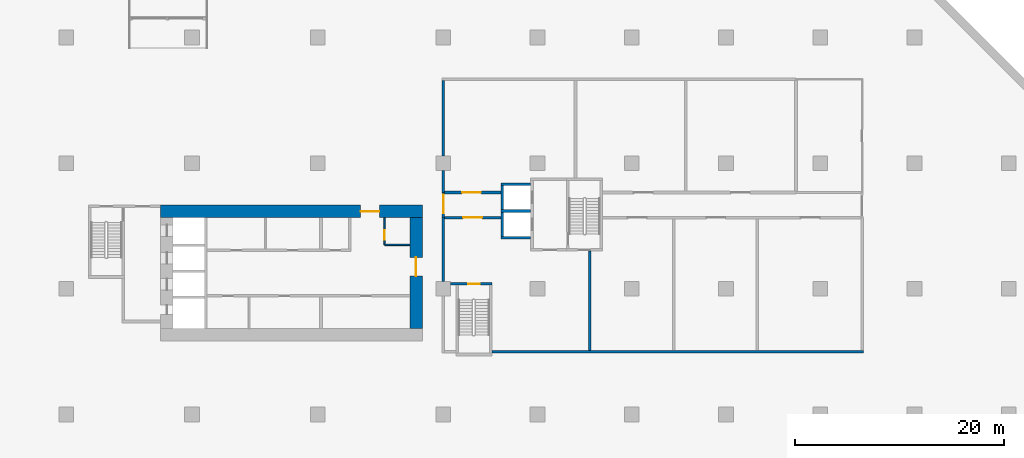
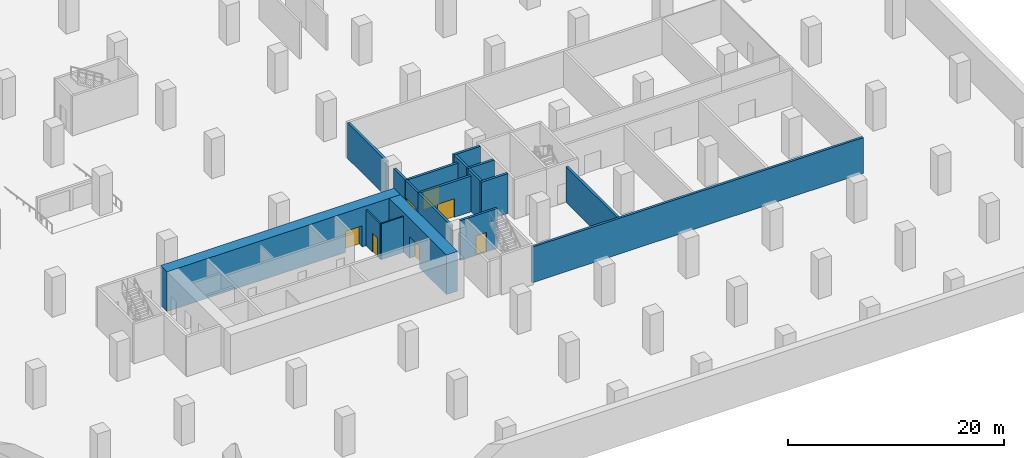
# One storey, part 4 of 10: 18 walls, 7 doors, 7 openings.
"""IFC4 building model written with IfcOpenShell, lengths in metres."""

from ifc_helpers import new_model, si_unit, direction, frame, frame_2d, origin, place, context, subcontext, project, spatial, rectangle, extrude, material, layer, layer_set, type_object, element, fill, save


model = new_model("IFC4")

# Units and contexts
model_context = context("Model", 3, precision=1e-05, world=origin(), true_north=direction((0.0, 1.0)))
body_context = subcontext(model_context, "Body", "Model", "MODEL_VIEW")
ifc_project = project(units=[si_unit("LENGTHUNIT", "METRE"), si_unit("AREAUNIT", "SQUARE_METRE"), si_unit("VOLUMEUNIT", "CUBIC_METRE"), si_unit("PLANEANGLEUNIT", "RADIAN"), si_unit("MASSUNIT", "GRAM", prefix="KILO")], contexts=[model_context])

# Site, building, storey
site_placement = place(None, origin())
site = spatial("IfcSite", under=ifc_project, at=site_placement, CompositionType="ELEMENT")
building_placement = place(site_placement, origin())
building = spatial("IfcBuilding", under=site, at=building_placement, Name="Chenar Terraces", CompositionType="ELEMENT")
storey_placement = place(building_placement, frame((0.0, 0.0, -9.0)))
storey = spatial("IfcBuildingStorey", under=building, at=storey_placement, Name="B2", CompositionType="ELEMENT", Elevation=-9.0)

# Wall, opening, door
ifc_material_1 = material(Name="Gypsum board on steel studs", Category="steel")
ifc_layer_1 = layer(ifc_material_1, 0.14990234375)
ifc_layer_set_1 = layer_set([ifc_layer_1], Name="Gypsum board on steel studs")
wall_type_1 = type_object("IfcWallType", Name="Core partition 150 gypsum board", PredefinedType="PARTITIONING", material=ifc_layer_set_1)
wall_1_placement = place(storey_placement, frame((30.39990234375, 16.199951171875, 0.0), z_axis=(0.0, 0.0, 1.0), x_axis=(0.0, 1.0, 0.0)))
wall_1 = element("IfcWall", 1, at=wall_1_placement, inside=storey, type_object=wall_type_1, Name="Core partition CP1 vestibule room west wall", PredefinedType="PARTITIONING", context=body_context, shape_type="SweptSolid", body=[
    extrude(rectangle(XDim=2.60009765625, YDim=0.14990234375, at=frame_2d((1.300048828125, 0.0))), origin(), (0.0, 0.0, 1.0), 4.050048828125),
])
opening_1_placement = place(wall_1_placement, frame((0.5, 0.0, 0.0)))
opening_1 = element("IfcOpeningElement", 2, at=opening_1_placement, cuts=wall_1, Name="Opening DB2-C18", PredefinedType="OPENING", context=body_context, shape_type="SweptSolid", body=[
    extrude(rectangle(XDim=0.89990234375, YDim=2.10009765625, at=frame_2d((0.449951171875, 1.050048828125))), frame((0.0, 0.0849609375, 0.0), z_axis=(0.0, -1.0, 0.0), x_axis=(1.0, 0.0, 0.0)), (0.0, 0.0, 1.0), 0.169921875),
])
ifc_material_2 = material(Name="Steel-framed fire-resisting door leaf", Category="steel")
door_type_1 = type_object("IfcDoorType", Name="Riser fire door FD60 900 x 2100", OperationType="SINGLE_SWING_LEFT", PredefinedType="DOOR", material=ifc_material_2)
door_1_placement = place(opening_1_placement, frame((0.89990234375, 0.0, 0.0), z_axis=(0.0, 0.0, 1.0), x_axis=(-1.0, 0.0, 0.0)))
door_1 = element("IfcDoor", 3, at=door_1_placement, inside=storey, type_object=door_type_1, Name="Core room door DB2-C18", OperationType="SINGLE_SWING_RIGHT", OverallHeight=2.10009765625, OverallWidth=0.89990234375, PredefinedType="DOOR", context=body_context, shape_type="SweptSolid", body=[
    extrude(rectangle(XDim=0.89990234375, YDim=2.10009765625, at=frame_2d((0.449951171875, 1.050048828125))), frame((0.0, 0.02490234375, 0.0), z_axis=(0.0, -1.0, 0.0), x_axis=(1.0, 0.0, 0.0)), (0.0, 0.0, 1.0), 0.050048828125),
])
fill(opening_1, door_1)

# Wall
wall_2_placement = place(storey_placement, frame((30.39990234375, 16.199951171875, 0.0), z_axis=(0.0, 0.0, 1.0), x_axis=(1.0, 0.0, 0.0)))
element("IfcWall", 4, at=wall_2_placement, inside=storey, type_object=wall_type_1, Name="Core partition CP1 vestibule room south wall", PredefinedType="PARTITIONING", context=body_context, shape_type="SweptSolid", body=[
    extrude(rectangle(XDim=2.400146484375, YDim=0.14990234375, at=frame_2d((1.2001953125, 0.0))), origin(), (0.0, 0.0, 1.0), 4.050048828125),
])

# Wall, opening, door
ifc_material_3 = material(Name="Concrete C70/85", Category="concrete")
ifc_layer_2 = layer(ifc_material_3, 1.199951171875)
ifc_layer_set_2 = layer_set([ifc_layer_2], Name="Concrete C70/85")
wall_type_2 = type_object("IfcWallType", Name="Core wall 1200 Concrete C70/85", PredefinedType="SHEAR", material=ifc_layer_set_2)
wall_3_placement = place(storey_placement, frame((9.0, 19.39990234375, 0.0), z_axis=(0.0, 0.0, 1.0), x_axis=(1.0, 0.0, 0.0)))
wall_3 = element("IfcWall", 5, at=wall_3_placement, inside=storey, type_object=wall_type_2, Name="Core wall N B2", PredefinedType="SHEAR", context=body_context, shape_type="SweptSolid", body=[
    extrude(rectangle(XDim=25.0, YDim=1.199951171875, at=frame_2d((12.5, 0.0))), origin(), (0.0, 0.0, 1.0), 4.5),
])
opening_2_placement = place(wall_3_placement, frame((19.10009765625, 0.0, 0.0)))
opening_2 = element("IfcOpeningElement", 6, at=opening_2_placement, cuts=wall_3, Name="Opening DB2-C2", PredefinedType="OPENING", context=body_context, shape_type="SweptSolid", body=[
    extrude(rectangle(XDim=1.800048828125, YDim=2.39990234375, at=frame_2d((0.89990234375, 1.199951171875))), frame((0.0, 0.60986328125, 0.0), z_axis=(0.0, -1.0, 0.0), x_axis=(1.0, 0.0, 0.0)), (0.0, 0.0, 1.0), 1.219970703125),
])
ifc_material_4 = material(Name="Steel-framed fire-resisting door leaf", Category="steel")
door_type_2 = type_object("IfcDoorType", Name="Core entrance double fire door FD60 1800 x 2400", OperationType="DOUBLE_DOOR_SINGLE_SWING", PredefinedType="DOOR", material=ifc_material_4)
door_2_placement = place(opening_2_placement, origin())
door_2 = element("IfcDoor", 7, at=door_2_placement, inside=storey, type_object=door_type_2, Name="Core door DB2-C2", OperationType="DOUBLE_DOOR_SINGLE_SWING", OverallHeight=2.39990234375, OverallWidth=1.800048828125, PredefinedType="DOOR", context=body_context, shape_type="SweptSolid", body=[
    extrude(rectangle(XDim=1.800048828125, YDim=2.39990234375, at=frame_2d((0.89990234375, 1.199951171875))), frame((0.0, 0.02490234375, 0.0), z_axis=(0.0, -1.0, 0.0), x_axis=(1.0, 0.0, 0.0)), (0.0, 0.0, 1.0), 0.050048828125),
])
fill(opening_2, door_2)

wall_4_placement = place(storey_placement, frame((33.39990234375, 8.199951171875, 0.0), z_axis=(0.0, 0.0, 1.0), x_axis=(0.0, 1.0, 0.0)))
wall_4 = element("IfcWall", 8, at=wall_4_placement, inside=storey, type_object=wall_type_2, Name="Core wall E B2", PredefinedType="SHEAR", context=body_context, shape_type="SweptSolid", body=[
    extrude(rectangle(XDim=10.60009765625, YDim=1.199951171875, at=frame_2d((5.300048828125, 0.0))), origin(), (0.0, 0.0, 1.0), 4.5),
])
opening_3_placement = place(wall_4_placement, frame((5.0, 0.0, 0.0)))
opening_3 = element("IfcOpeningElement", 9, at=opening_3_placement, cuts=wall_4, Name="Opening DB2-C1", PredefinedType="OPENING", context=body_context, shape_type="SweptSolid", body=[
    extrude(rectangle(XDim=1.800048828125, YDim=2.39990234375, at=frame_2d((0.89990234375, 1.199951171875))), frame((0.0, 0.60986328125, 0.0), z_axis=(0.0, -1.0, 0.0), x_axis=(1.0, 0.0, 0.0)), (0.0, 0.0, 1.0), 1.219970703125),
])
door_3_placement = place(opening_3_placement, frame((1.800048828125, 0.0, 0.0), z_axis=(0.0, 0.0, 1.0), x_axis=(-1.0, 0.0, 0.0)))
door_3 = element("IfcDoor", 10, at=door_3_placement, inside=storey, type_object=door_type_2, Name="Core door DB2-C1", OperationType="DOUBLE_DOOR_SINGLE_SWING", OverallHeight=2.39990234375, OverallWidth=1.800048828125, PredefinedType="DOOR", context=body_context, shape_type="SweptSolid", body=[
    extrude(rectangle(XDim=1.800048828125, YDim=2.39990234375, at=frame_2d((0.89990234375, 1.199951171875))), frame((0.0, 0.02490234375, 0.0), z_axis=(0.0, -1.0, 0.0), x_axis=(1.0, 0.0, 0.0)), (0.0, 0.0, 1.0), 0.050048828125),
])
fill(opening_3, door_3)

ifc_material_5 = material(Name="Concrete C70/85", Category="concrete")
ifc_layer_3 = layer(ifc_material_5, 0.25)
ifc_layer_set_3 = layer_set([ifc_layer_3], Name="Concrete C70/85")
wall_type_3 = type_object("IfcWallType", Name="Core wall 250 Concrete C70/85", PredefinedType="SHEAR", material=ifc_layer_set_3)
wall_5_placement = place(storey_placement, frame((36.699951171875, 12.47509765625, 0.0), z_axis=(0.0, 0.0, 1.0), x_axis=(1.0, 0.0, 0.0)))
wall_5 = element("IfcWall", 11, at=wall_5_placement, inside=storey, type_object=wall_type_3, Name="Core wall ST2_N B2", PredefinedType="SHEAR", context=body_context, shape_type="SweptSolid", body=[
    extrude(rectangle(XDim=3.949951171875, YDim=0.25, at=frame_2d((1.97509765625, 0.0))), origin(), (0.0, 0.0, 1.0), 4.5),
])
opening_4_placement = place(wall_5_placement, frame((1.675048828125, 0.0, 0.0)))
opening_4 = element("IfcOpeningElement", 12, at=opening_4_placement, cuts=wall_5, Name="Opening DB2-C7", PredefinedType="OPENING", context=body_context, shape_type="SweptSolid", body=[
    extrude(rectangle(XDim=1.10009765625, YDim=2.199951171875, at=frame_2d((0.550048828125, 1.10009765625))), frame((0.0, 0.135009765625, 0.0), z_axis=(0.0, -1.0, 0.0), x_axis=(1.0, 0.0, 0.0)), (0.0, 0.0, 1.0), 0.27001953125),
])
ifc_material_6 = material(Name="Steel-framed fire-resisting door leaf", Category="steel")
door_type_3 = type_object("IfcDoorType", Name="Stair fire door FD60 1100 x 2200", OperationType="SINGLE_SWING_LEFT", PredefinedType="DOOR", material=ifc_material_6)
door_4_placement = place(opening_4_placement, frame((1.10009765625, 0.0, 0.0), z_axis=(0.0, 0.0, 1.0), x_axis=(-1.0, 0.0, 0.0)))
door_4 = element("IfcDoor", 13, at=door_4_placement, inside=storey, type_object=door_type_3, Name="Stair door DB2-C7", OperationType="SINGLE_SWING_LEFT", OverallHeight=2.199951171875, OverallWidth=1.10009765625, PredefinedType="DOOR", context=body_context, shape_type="SweptSolid", body=[
    extrude(rectangle(XDim=1.10009765625, YDim=2.199951171875, at=frame_2d((0.550048828125, 1.10009765625))), frame((0.0, 0.02490234375, 0.0), z_axis=(0.0, -1.0, 0.0), x_axis=(1.0, 0.0, 0.0)), (0.0, 0.0, 1.0), 0.050048828125),
])
fill(opening_4, door_4)

# Walls
for number, where, z_axis, x_axis, name in (
    (14, (41.5, 16.875, 0.0), (0.0, 0.0, 1.0), (1.0, 0.0, 0.0), "Core wall F3_SS B2"),
    (15, (41.5, 19.425048828125, 0.0), (0.0, 0.0, 1.0), (1.0, 0.0, 0.0), "Core wall F3_SM B2"),
    (16, (41.5, 21.97509765625, 0.0), (0.0, 0.0, 1.0), (1.0, 0.0, 0.0), "Core wall F4_SN B2"),
):
    element("IfcWall", number, at=place(storey_placement, frame(where, z_axis=z_axis, x_axis=x_axis)), inside=storey, type_object=wall_type_3, Name=name, PredefinedType="SHEAR", context=body_context, shape_type="SweptSolid", body=[
        extrude(rectangle(XDim=2.85009765625, YDim=0.25, at=frame_2d((1.425048828125, 0.0))), origin(), (0.0, 0.0, 1.0), 4.5),
    ])
for number, where, z_axis, x_axis, name in (
    (17, (41.625, 17.0, 0.0), (0.0, 0.0, 1.0), (0.0, 1.0, 0.0), "Core wall F3_SW B2"),
    (18, (41.625, 19.550048828125, 0.0), (0.0, 0.0, 1.0), (0.0, 1.0, 0.0), "Core wall F4_SW B2"),
):
    element("IfcWall", number, at=place(storey_placement, frame(where, z_axis=z_axis, x_axis=x_axis)), inside=storey, type_object=wall_type_3, Name=name, PredefinedType="SHEAR", context=body_context, shape_type="SweptSolid", body=[
        extrude(rectangle(XDim=2.300048828125, YDim=0.25, at=frame_2d((1.14990234375, 0.0))), origin(), (0.0, 0.0, 1.0), 4.5),
    ])

# Wall, opening, door
ifc_material_7 = material(Name="Gypsum board on steel studs with fire boards", Category="steel")
ifc_layer_4 = layer(ifc_material_7, 0.199951171875)
ifc_layer_set_4 = layer_set([ifc_layer_4], Name="Gypsum board on steel studs with fire boards")
wall_type_4 = type_object("IfcWallType", Name="Corridor wall 200", PredefinedType="PARTITIONING", material=ifc_layer_set_4)
wall_6_placement = place(storey_placement, frame((36.0, 18.800048828125, 0.0), z_axis=(0.0, 0.0, 1.0), x_axis=(0.0, 1.0, 0.0)))
wall_6 = element("IfcWall", 19, at=wall_6_placement, inside=storey, type_object=wall_type_4, Name="Partition B2-008", PredefinedType="PARTITIONING", context=body_context, shape_type="SweptSolid", body=[
    extrude(rectangle(XDim=2.39990234375, YDim=0.199951171875, at=frame_2d((1.199951171875, 0.0))), origin(), (0.0, 0.0, 1.0), 4.050048828125),
])
opening_5_placement = place(wall_6_placement, frame((0.39990234375, 0.0, 0.0)))
opening_5 = element("IfcOpeningElement", 20, at=opening_5_placement, cuts=wall_6, Name="Opening DB2-1", PredefinedType="OPENING", context=body_context, shape_type="SweptSolid", body=[
    extrude(rectangle(XDim=1.800048828125, YDim=2.10009765625, at=frame_2d((0.89990234375, 1.050048828125))), frame((0.0, 0.10986328125, 0.0), z_axis=(0.0, -1.0, 0.0), x_axis=(1.0, 0.0, 0.0)), (0.0, 0.0, 1.0), 0.219970703125),
])
ifc_material_8 = material(Name="Steel-framed fire-resisting door leaf", Category="steel")
door_type_4 = type_object("IfcDoorType", Name="Fire double door FD60 1800 x 2100", OperationType="DOUBLE_DOOR_SINGLE_SWING", PredefinedType="DOOR", material=ifc_material_8)
door_5_placement = place(opening_5_placement, origin())
door_5 = element("IfcDoor", 21, at=door_5_placement, inside=storey, type_object=door_type_4, Name="Door DB2-1", OperationType="DOUBLE_DOOR_SINGLE_SWING", OverallHeight=2.10009765625, OverallWidth=1.800048828125, PredefinedType="DOOR", context=body_context, shape_type="SweptSolid", body=[
    extrude(rectangle(XDim=1.800048828125, YDim=2.10009765625, at=frame_2d((0.89990234375, 1.050048828125))), frame((0.0, 0.02490234375, 0.0), z_axis=(0.0, -1.0, 0.0), x_axis=(1.0, 0.0, 0.0)), (0.0, 0.0, 1.0), 0.050048828125),
])
fill(opening_5, door_5)

# Walls
ifc_material_9 = material(Name="Fire-board and steel stud wall with mineral wool", Category="steel")
ifc_layer_5 = layer(ifc_material_9, 0.25)
ifc_layer_set_5 = layer_set([ifc_layer_5], Name="Fire-board and steel stud wall with mineral wool")
wall_type_5 = type_object("IfcWallType", Name="Plant room wall 250", PredefinedType="PARTITIONING", material=ifc_layer_set_5)
wall_7_placement = place(storey_placement, frame((36.0, 12.698974609375, 0.0), z_axis=(0.0, 0.0, 1.0), x_axis=(0.0, 1.0, 0.0)))
element("IfcWall", 22, at=wall_7_placement, inside=storey, type_object=wall_type_5, Name="Partition B2-007", PredefinedType="PARTITIONING", context=body_context, shape_type="SweptSolid", body=[
    extrude(rectangle(XDim=6.10107421875, YDim=0.25, at=frame_2d((3.050537109375, 0.0))), origin(), (0.0, 0.0, 1.0), 4.050048828125),
])
wall_8_placement = place(storey_placement, frame((36.0, 21.199951171875, 0.0), z_axis=(0.0, 0.0, 1.0), x_axis=(0.0, 1.0, 0.0)))
element("IfcWall", 23, at=wall_8_placement, inside=storey, type_object=wall_type_5, Name="Partition B2-009", PredefinedType="PARTITIONING", context=body_context, shape_type="SweptSolid", body=[
    extrude(rectangle(XDim=2.10107421875, YDim=0.25, at=frame_2d((1.050537109375, 0.0))), origin(), (0.0, 0.0, 1.0), 4.050048828125),
])
wall_9_placement = place(storey_placement, frame((36.0, 24.698974609375, 0.0), z_axis=(0.0, 0.0, 1.0), x_axis=(0.0, 1.0, 0.0)))
element("IfcWall", 24, at=wall_9_placement, inside=storey, type_object=wall_type_5, Name="Partition B2-010", PredefinedType="PARTITIONING", context=body_context, shape_type="SweptSolid", body=[
    extrude(rectangle(XDim=7.176025390625, YDim=0.25, at=frame_2d((3.587890625, 0.0))), origin(), (0.0, 0.0, 1.0), 4.050048828125),
])

# Wall, opening, door
wall_10_placement = place(storey_placement, frame((36.125, 18.800048828125, 0.0), z_axis=(0.0, 0.0, 1.0), x_axis=(1.0, 0.0, 0.0)))
wall_10 = element("IfcWall", 25, at=wall_10_placement, inside=storey, type_object=wall_type_5, Name="Partition B2-012", PredefinedType="PARTITIONING", context=body_context, shape_type="SweptSolid", body=[
    extrude(rectangle(XDim=5.375, YDim=0.25, at=frame_2d((2.6875, 0.0))), origin(), (0.0, 0.0, 1.0), 4.050048828125),
])
opening_6_placement = place(wall_10_placement, frame((1.77490234375, 0.0, 0.0)))
opening_6 = element("IfcOpeningElement", 26, at=opening_6_placement, cuts=wall_10, Name="Opening DB2-3", PredefinedType="OPENING", context=body_context, shape_type="SweptSolid", body=[
    extrude(rectangle(XDim=1.800048828125, YDim=2.10009765625, at=frame_2d((0.89990234375, 1.050048828125))), frame((0.0, 0.135009765625, 0.0), z_axis=(0.0, -1.0, 0.0), x_axis=(1.0, 0.0, 0.0)), (0.0, 0.0, 1.0), 0.27001953125),
])
ifc_material_10 = material(Name="Steel-framed fire-resisting door leaf", Category="steel")
door_type_5 = type_object("IfcDoorType", Name="Fire double door FD120 1800 x 2100", OperationType="DOUBLE_DOOR_SINGLE_SWING", PredefinedType="DOOR", material=ifc_material_10)
door_6_placement = place(opening_6_placement, frame((1.800048828125, 0.0, 0.0), z_axis=(0.0, 0.0, 1.0), x_axis=(-1.0, 0.0, 0.0)))
door_6 = element("IfcDoor", 27, at=door_6_placement, inside=storey, type_object=door_type_5, Name="Door DB2-3", OperationType="DOUBLE_DOOR_SINGLE_SWING", OverallHeight=2.10009765625, OverallWidth=1.800048828125, PredefinedType="DOOR", context=body_context, shape_type="SweptSolid", body=[
    extrude(rectangle(XDim=1.800048828125, YDim=2.10009765625, at=frame_2d((0.89990234375, 1.050048828125))), frame((0.0, 0.02490234375, 0.0), z_axis=(0.0, -1.0, 0.0), x_axis=(1.0, 0.0, 0.0)), (0.0, 0.0, 1.0), 0.050048828125),
])
fill(opening_6, door_6)

wall_11_placement = place(storey_placement, frame((36.125, 21.199951171875, 0.0), z_axis=(0.0, 0.0, 1.0), x_axis=(1.0, 0.0, 0.0)))
wall_11 = element("IfcWall", 28, at=wall_11_placement, inside=storey, type_object=wall_type_5, Name="Partition B2-013", PredefinedType="PARTITIONING", context=body_context, shape_type="SweptSolid", body=[
    extrude(rectangle(XDim=5.375, YDim=0.25, at=frame_2d((2.6875, 0.0))), origin(), (0.0, 0.0, 1.0), 4.050048828125),
])
opening_7_placement = place(wall_11_placement, frame((1.675048828125, 0.0, 0.0)))
opening_7 = element("IfcOpeningElement", 29, at=opening_7_placement, cuts=wall_11, Name="Opening DB2-7", PredefinedType="OPENING", context=body_context, shape_type="SweptSolid", body=[
    extrude(rectangle(XDim=1.800048828125, YDim=2.10009765625, at=frame_2d((0.89990234375, 1.050048828125))), frame((0.0, 0.135009765625, 0.0), z_axis=(0.0, -1.0, 0.0), x_axis=(1.0, 0.0, 0.0)), (0.0, 0.0, 1.0), 0.27001953125),
])
door_7_placement = place(opening_7_placement, origin())
door_7 = element("IfcDoor", 30, at=door_7_placement, inside=storey, type_object=door_type_5, Name="Door DB2-7", OperationType="DOUBLE_DOOR_SINGLE_SWING", OverallHeight=2.10009765625, OverallWidth=1.800048828125, PredefinedType="DOOR", context=body_context, shape_type="SweptSolid", body=[
    extrude(rectangle(XDim=1.800048828125, YDim=2.10009765625, at=frame_2d((0.89990234375, 1.050048828125))), frame((0.0, 0.02490234375, 0.0), z_axis=(0.0, -1.0, 0.0), x_axis=(1.0, 0.0, 0.0)), (0.0, 0.0, 1.0), 0.050048828125),
])
fill(opening_7, door_7)

# Walls
wall_12_placement = place(storey_placement, frame((40.64990234375, 6.0, 0.0), z_axis=(0.0, 0.0, 1.0), x_axis=(1.0, 0.0, 0.0)))
element("IfcWall", 31, at=wall_12_placement, inside=storey, type_object=wall_type_5, Name="Partition B2-014", PredefinedType="PARTITIONING", context=body_context, shape_type="SweptSolid", body=[
    extrude(rectangle(XDim=35.47509765625, YDim=0.25, at=frame_2d((17.737548828125, 0.0))), origin(), (0.0, 0.0, 1.0), 4.050048828125),
])
wall_13_placement = place(storey_placement, frame((50.0, 6.125, 0.0), z_axis=(0.0, 0.0, 1.0), x_axis=(0.0, 1.0, 0.0)))
element("IfcWall", 32, at=wall_13_placement, inside=storey, type_object=wall_type_5, Name="Partition B2-016", PredefinedType="PARTITIONING", context=body_context, shape_type="SweptSolid", body=[
    extrude(rectangle(XDim=9.47509765625, YDim=0.25, at=frame_2d((4.737548828125, 0.0))), origin(), (0.0, 0.0, 1.0), 4.050048828125),
])

save(model, "model.ifc")
